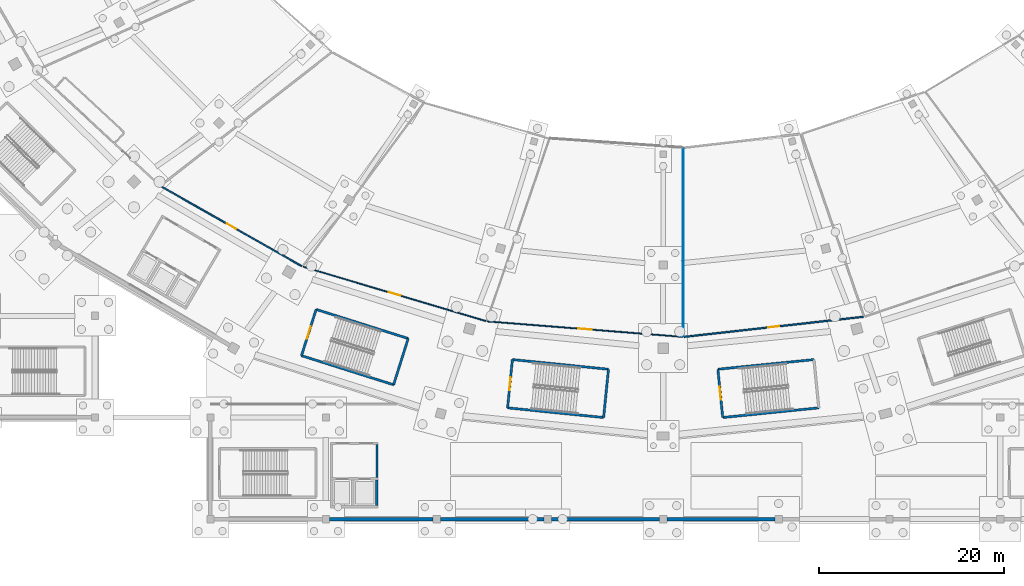
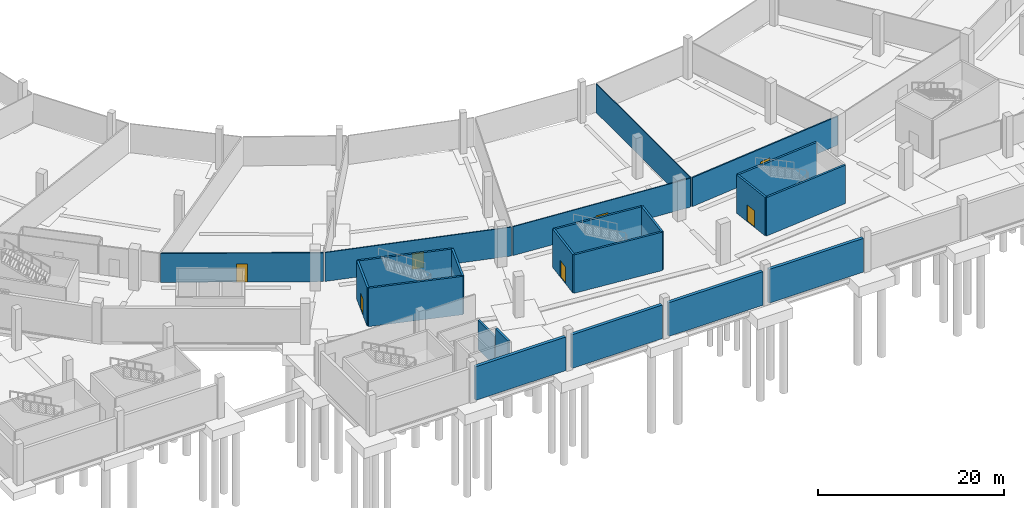
# One storey, part 34 of 74: 22 walls, 7 doors, 7 openings.
"""IFC4 building model written with IfcOpenShell, lengths in metres."""

from ifc_helpers import new_model, si_unit, direction, frame, frame_2d, origin, place, context, subcontext, project, spatial, rectangle, extrude, material, layer, layer_set, type_object, element, fill, save


model = new_model("IFC4")

# Units and contexts
model_context = context("Model", 3, precision=1e-05, world=origin(), true_north=direction((0.0, 1.0)))
body_context = subcontext(model_context, "Body", "Model", "MODEL_VIEW")
ifc_project = project(units=[si_unit("LENGTHUNIT", "METRE"), si_unit("AREAUNIT", "SQUARE_METRE"), si_unit("VOLUMEUNIT", "CUBIC_METRE"), si_unit("PLANEANGLEUNIT", "RADIAN"), si_unit("MASSUNIT", "GRAM", prefix="KILO")], contexts=[model_context])

# Site, building, storey
site_placement = place(None, origin())
site = spatial("IfcSite", under=ifc_project, at=site_placement, CompositionType="ELEMENT")
building_placement = place(site_placement, origin())
building = spatial("IfcBuilding", under=site, at=building_placement, Name="Zlatoyarsky Gate Stadium", CompositionType="ELEMENT")
storey_placement = place(building_placement, frame((0.0, 0.0, -5.39990234375)))
storey = spatial("IfcBuildingStorey", under=building, at=storey_placement, Name="B1", CompositionType="ELEMENT", Elevation=-5.39990234375)

# Wall, opening, door
ifc_material_1 = material(Name="Anodised aluminium acoustic operable wall", Category="aluminium")
ifc_layer_1 = layer(ifc_material_1, 0.114990234375)
ifc_layer_set_1 = layer_set([ifc_layer_1], Name="Anodised aluminium acoustic operable wall")
wall_type_1 = type_object("IfcWallType", Name="ACOUSTIC OPERABLE SUITE WALL 115", PredefinedType="MOVABLE", material=ifc_layer_set_1)
wall_1_placement = place(storey_placement, frame((91.97314453125, 21.40087890625, 0.0), z_axis=(0.0, 0.0, 1.0), x_axis=(0.996870264064, -0.079054896279, 0.0)))
wall_1 = element("IfcWall", 1, at=wall_1_placement, inside=storey, type_object=wall_type_1, Name="B1 interior partition PRT-B1-ICC-17", PredefinedType="MOVABLE", context=body_context, shape_type="SweptSolid", body=[
    extrude(rectangle(XDim=21.19775390625, YDim=0.114990234375, at=frame_2d((10.598876953125, 0.0))), origin(), (0.0, 0.0, 1.0), 3.7998046875),
])
opening_1_placement = place(wall_1_placement, frame((9.87890625, 0.0, 0.0)))
opening_1 = element("IfcOpeningElement", 2, at=opening_1_placement, cuts=wall_1, Name="Opening D-B1-068", PredefinedType="OPENING", context=body_context, shape_type="SweptSolid", body=[
    extrude(rectangle(XDim=1.43994140625, YDim=2.239990234375, at=frame_2d((0.719970703125, 1.1201171875))), frame((0.0, 0.0673828125, 0.0), z_axis=(0.0, -1.0, 0.0), x_axis=(1.0, 0.0, 0.0)), (0.0, 0.0, 1.0), 0.135009765625),
])
ifc_material_2 = material(Name="Solid-core oak veneer acoustic door", Category="wood")
door_type_1 = type_object("IfcDoorType", Name="ACOUSTIC INTERIOR DOOR 1440X2240", OperationType="NOTDEFINED", PredefinedType="DOOR", material=ifc_material_2)
door_1_placement = place(opening_1_placement, origin())
door_1 = element("IfcDoor", 3, at=door_1_placement, inside=storey, type_object=door_type_1, Name="B1 room door D-B1-068", OperationType="SINGLE_SWING_LEFT", OverallHeight=2.239990234375, OverallWidth=1.43994140625, PredefinedType="DOOR", context=body_context, shape_type="SweptSolid", body=[
    extrude(rectangle(XDim=1.43994140625, YDim=2.239990234375, at=frame_2d((0.719970703125, 1.1201171875))), frame((0.0, 0.02490234375, 0.0), z_axis=(0.0, -1.0, 0.0), x_axis=(1.0, 0.0, 0.0)), (0.0, 0.0, 1.0), 0.050048828125),
])
fill(opening_1, door_1)

ifc_material_3 = material(Name="Metal-stud gypsum partition", Category="gypsum")
ifc_layer_2 = layer(ifc_material_3, 0.14990234375)
ifc_layer_set_2 = layer_set([ifc_layer_2], Name="Metal-stud gypsum partition")
wall_type_2 = type_object("IfcWallType", Name="CONCOURSE CORRIDOR PARTITION 150", PredefinedType="PARTITIONING", material=ifc_layer_set_2)
wall_2_placement = place(storey_placement, frame((56.635009765625, 36.021484375, 0.0), z_axis=(0.0, 0.0, 1.0), x_axis=(0.869966621759, -0.493110613377, 0.0)))
wall_2 = element("IfcWall", 4, at=wall_2_placement, inside=storey, type_object=wall_type_2, Name="B1 interior partition PRT-B1-ICC-15", PredefinedType="PARTITIONING", context=body_context, shape_type="SweptSolid", body=[
    extrude(rectangle(XDim=17.529052734375, YDim=0.14990234375, at=frame_2d((8.7646484375, 0.0))), origin(), (0.0, 0.0, 1.0), 3.7998046875),
])
opening_2_placement = place(wall_2_placement, frame((8.1845703125, 0.0, 0.0)))
opening_2 = element("IfcOpeningElement", 5, at=opening_2_placement, cuts=wall_2, Name="Opening D-B1-062", PredefinedType="OPENING", context=body_context, shape_type="SweptSolid", body=[
    extrude(rectangle(XDim=1.159912109375, YDim=2.3798828125, at=frame_2d((0.580078125, 1.18994140625))), frame((0.0, 0.0849609375, 0.0), z_axis=(0.0, -1.0, 0.0), x_axis=(1.0, 0.0, 0.0)), (0.0, 0.0, 1.0), 0.169921875),
])
ifc_material_4 = material(Name="Powder-coated steel fire door", Category="steel")
door_type_2 = type_object("IfcDoorType", Name="ACOUSTIC INTERIOR DOOR 1160X2380", OperationType="NOTDEFINED", PredefinedType="DOOR", material=ifc_material_4)
door_2_placement = place(opening_2_placement, origin())
door_2 = element("IfcDoor", 6, at=door_2_placement, inside=storey, type_object=door_type_2, Name="B1 room door D-B1-062", OperationType="SINGLE_SWING_LEFT", OverallHeight=2.3798828125, OverallWidth=1.159912109375, PredefinedType="DOOR", context=body_context, shape_type="SweptSolid", body=[
    extrude(rectangle(XDim=1.159912109375, YDim=2.3798828125, at=frame_2d((0.580078125, 1.18994140625))), frame((0.0, 0.02490234375, 0.0), z_axis=(0.0, -1.0, 0.0), x_axis=(1.0, 0.0, 0.0)), (0.0, 0.0, 1.0), 0.050048828125),
])
fill(opening_2, door_2)

# Walls
ifc_material_5 = material(Name="Concrete C40/50", Category="concrete")
ifc_layer_3 = layer(ifc_material_5, 0.27001953125)
ifc_layer_set_3 = layer_set([ifc_layer_3], Name="Concrete C40/50")
wall_type_3 = type_object("IfcWallType", Name="CONCRETE LIFT SHAFT SHEAR WALL 270", PredefinedType="SHEAR", material=ifc_layer_set_3)
wall_3_placement = place(storey_placement, frame((80.014892578125, 1.47998046875, 0.0), z_axis=(0.0, 0.0, 1.0), x_axis=(0.0, 1.0, 0.0)))
element("IfcWall", 7, at=wall_3_placement, inside=storey, type_object=wall_type_3, Name="C6 B1 lift shaft right wall", PredefinedType="SHEAR", context=body_context, shape_type="SweptSolid", body=[
    extrude(rectangle(XDim=2.739990234375, YDim=0.27001953125, at=frame_2d((1.3701171875, 0.0))), origin(), (0.0, 0.0, 1.0), 5.0498046875),
])
ifc_material_6 = material(Name="Concrete C35/45", Category="concrete")
ifc_layer_4 = layer(ifc_material_6, 0.3798828125)
ifc_layer_set_4 = layer_set([ifc_layer_4], Name="Concrete C35/45")
wall_type_4 = type_object("IfcWallType", Name="CONCRETE RAMP RETAINING WALL 380", PredefinedType="SOLIDWALL", material=ifc_layer_set_4)
for number, where, z_axis, x_axis, name in (
    (8, (74.89697265625, 0.0, 0.0), (0.0, 0.0, 1.0), (1.0, 0.0, 0.0), "V3_SOUTH B1 S exterior wall"),
    (9, (86.89697265625, 0.0, 0.0), (0.0, 0.0, 1.0), (1.0, 0.0, 0.0), "V3_SOUTH B1 S exterior wall"),
):
    element("IfcWall", number, at=place(storey_placement, frame(where, z_axis=z_axis, x_axis=x_axis)), inside=storey, type_object=wall_type_4, Name=name, PredefinedType="SOLIDWALL", context=body_context, shape_type="SweptSolid", body=[
        extrude(rectangle(XDim=11.2060546875, YDim=0.3798828125, at=frame_2d((5.60302734375, 0.0))), origin(), (0.0, 0.0, 1.0), 4.429931640625),
    ])
for number, where, z_axis, x_axis, name in (
    (10, (98.89697265625, 0.0, 0.0), (0.0, 0.0, 1.0), (1.0, 0.0, 0.0), "V3_SOUTH B1 S exterior wall"),
    (11, (111.39697265625, 0.0, 0.0), (0.0, 0.0, 1.0), (1.0, 0.0, 0.0), "V3_SOUTH B1 S exterior wall"),
):
    element("IfcWall", number, at=place(storey_placement, frame(where, z_axis=z_axis, x_axis=x_axis)), inside=storey, type_object=wall_type_4, Name=name, PredefinedType="SOLIDWALL", context=body_context, shape_type="SweptSolid", body=[
        extrude(rectangle(XDim=11.7060546875, YDim=0.3798828125, at=frame_2d((5.85302734375, 0.0))), origin(), (0.0, 0.0, 1.0), 4.429931640625),
    ])

# Wall, opening, door
ifc_layer_5 = layer(ifc_material_5, 0.25)
ifc_layer_set_5 = layer_set([ifc_layer_5], Name="Concrete C40/50")
wall_type_5 = type_object("IfcWallType", Name="CONCRETE STAIR CORE SHEAR WALL 250", PredefinedType="SHEAR", material=ifc_layer_set_5)
wall_4_placement = place(storey_placement, frame((73.436767578125, 22.69873046875, 0.0), z_axis=(0.0, 0.0, 1.0), x_axis=(-0.30152749866, -0.953457480726, 0.0)))
wall_4 = element("IfcWall", 12, at=wall_4_placement, inside=storey, type_object=wall_type_5, Name="ST-09 B1 stair core entrance shear wall", PredefinedType="SHEAR", context=body_context, shape_type="SweptSolid", body=[
    extrude(rectangle(XDim=5.25, YDim=0.25, at=frame_2d((2.625, 0.0))), origin(), (0.0, 0.0, 1.0), 5.0498046875),
])
opening_3_placement = place(wall_4_placement, frame((1.925048828125, 0.0, 0.0)))
opening_3 = element("IfcOpeningElement", 13, at=opening_3_placement, cuts=wall_4, Name="Opening SD-ST-09-B1", PredefinedType="OPENING", context=body_context, shape_type="SweptSolid", body=[
    extrude(rectangle(XDim=1.39990234375, YDim=2.199951171875, at=frame_2d((0.699951171875, 1.10009765625))), frame((0.0, 0.135009765625, 0.0), z_axis=(0.0, -1.0, 0.0), x_axis=(1.0, 0.0, 0.0)), (0.0, 0.0, 1.0), 0.27001953125),
])
door_type_3 = type_object("IfcDoorType", Name="STAIR CORE FIRE EXIT DOOR 1400X2200", OperationType="NOTDEFINED", PredefinedType="DOOR", material=ifc_material_4)
door_3_placement = place(opening_3_placement, frame((1.39990234375, 0.0, 0.0), z_axis=(0.0, 0.0, 1.0), x_axis=(-1.0, 0.0, 0.0)))
door_3 = element("IfcDoor", 14, at=door_3_placement, inside=storey, type_object=door_type_3, Name="ST-09 B1 stair fire door", OperationType="SINGLE_SWING_RIGHT", OverallHeight=2.199951171875, OverallWidth=1.39990234375, PredefinedType="DOOR", context=body_context, shape_type="SweptSolid", body=[
    extrude(rectangle(XDim=1.39990234375, YDim=2.199951171875, at=frame_2d((0.699951171875, 1.10009765625))), frame((0.0, 0.02490234375, 0.0), z_axis=(0.0, -1.0, 0.0), x_axis=(1.0, 0.0, 0.0)), (0.0, 0.0, 1.0), 0.050048828125),
])
fill(opening_3, door_3)

# Walls
wall_5_placement = place(storey_placement, frame((71.853759765625, 17.693115234375, 0.0), z_axis=(0.0, 0.0, 1.0), x_axis=(0.953461834254, -0.301513732061, 0.0)))
element("IfcWall", 15, at=wall_5_placement, inside=storey, type_object=wall_type_5, Name="ST-09 B1 stair core left shear wall", PredefinedType="SHEAR", context=body_context, shape_type="SweptSolid", body=[
    extrude(rectangle(XDim=10.4501953125, YDim=0.25, at=frame_2d((5.22509765625, 0.0))), origin(), (0.0, 0.0, 1.0), 5.0498046875),
])
wall_6_placement = place(storey_placement, frame((81.817626953125, 14.542236328125, 0.0), z_axis=(0.0, 0.0, 1.0), x_axis=(0.301485222482, 0.953470849384, 0.0)))
element("IfcWall", 16, at=wall_6_placement, inside=storey, type_object=wall_type_5, Name="ST-09 B1 stair core far shear wall", PredefinedType="SHEAR", context=body_context, shape_type="SweptSolid", body=[
    extrude(rectangle(XDim=5.25, YDim=0.25, at=frame_2d((2.625, 0.0))), origin(), (0.0, 0.0, 1.0), 5.0498046875),
])
wall_7_placement = place(storey_placement, frame((83.400390625, 19.5478515625, 0.0), z_axis=(0.0, 0.0, 1.0), x_axis=(-0.953459710305, 0.301520448438, 0.0)))
element("IfcWall", 17, at=wall_7_placement, inside=storey, type_object=wall_type_5, Name="ST-09 B1 stair core right shear wall", PredefinedType="SHEAR", context=body_context, shape_type="SweptSolid", body=[
    extrude(rectangle(XDim=10.449951171875, YDim=0.25, at=frame_2d((5.22509765625, 0.0))), origin(), (0.0, 0.0, 1.0), 5.0498046875),
])

# Wall, opening, door
wall_8_placement = place(storey_placement, frame((116.92138671875, 16.220947265625, 0.0), z_axis=(0.0, 0.0, 1.0), x_axis=(0.100028593886, -0.994984562898, 0.0)))
wall_8 = element("IfcWall", 18, at=wall_8_placement, inside=storey, type_object=wall_type_5, Name="ST-10 B1 stair core entrance shear wall", PredefinedType="SHEAR", context=body_context, shape_type="SweptSolid", body=[
    extrude(rectangle(XDim=5.25, YDim=0.25, at=frame_2d((2.625, 0.0))), origin(), (0.0, 0.0, 1.0), 5.0498046875),
])
opening_4_placement = place(wall_8_placement, frame((1.925048828125, 0.0, 0.0)))
opening_4 = element("IfcOpeningElement", 19, at=opening_4_placement, cuts=wall_8, Name="Opening SD-ST-10-B1", PredefinedType="OPENING", context=body_context, shape_type="SweptSolid", body=[
    extrude(rectangle(XDim=1.39990234375, YDim=2.199951171875, at=frame_2d((0.699951171875, 1.10009765625))), frame((0.0, 0.135009765625, 0.0), z_axis=(0.0, -1.0, 0.0), x_axis=(1.0, 0.0, 0.0)), (0.0, 0.0, 1.0), 0.27001953125),
])
door_4_placement = place(opening_4_placement, frame((1.39990234375, 0.0, 0.0), z_axis=(0.0, 0.0, 1.0), x_axis=(-1.0, 0.0, 0.0)))
door_4 = element("IfcDoor", 20, at=door_4_placement, inside=storey, type_object=door_type_3, Name="ST-10 B1 stair fire door", OperationType="SINGLE_SWING_LEFT", OverallHeight=2.199951171875, OverallWidth=1.39990234375, PredefinedType="DOOR", context=body_context, shape_type="SweptSolid", body=[
    extrude(rectangle(XDim=1.39990234375, YDim=2.199951171875, at=frame_2d((0.699951171875, 1.10009765625))), frame((0.0, 0.02490234375, 0.0), z_axis=(0.0, -1.0, 0.0), x_axis=(1.0, 0.0, 0.0)), (0.0, 0.0, 1.0), 0.050048828125),
])
fill(opening_4, door_4)

# Walls
for number, where, z_axis, x_axis, name in (
    (21, (117.446533203125, 10.997314453125, 0.0), (0.0, 0.0, 1.0), (0.994985938948, 0.100014905366, 0.0), "ST-10 B1 stair core left shear wall"),
    (22, (127.319091796875, 17.26611328125, 0.0), (0.0, 0.0, 1.0), (-0.994985938948, -0.100014905366, 0.0), "ST-10 B1 stair core right shear wall"),
):
    element("IfcWall", number, at=place(storey_placement, frame(where, z_axis=z_axis, x_axis=x_axis)), inside=storey, type_object=wall_type_5, Name=name, PredefinedType="SHEAR", context=body_context, shape_type="SweptSolid", body=[
        extrude(rectangle(XDim=10.4501953125, YDim=0.25, at=frame_2d((5.22509765625, 0.0))), origin(), (0.0, 0.0, 1.0), 5.0498046875),
    ])

# Wall, opening, door
wall_9_placement = place(storey_placement, frame((94.680908203125, 17.26611328125, 0.0), z_axis=(0.0, 0.0, 1.0), x_axis=(-0.10002396577, -0.994985028165, 0.0)))
wall_9 = element("IfcWall", 23, at=wall_9_placement, inside=storey, type_object=wall_type_5, Name="ST-19 B1 stair core entrance shear wall", PredefinedType="SHEAR", context=body_context, shape_type="SweptSolid", body=[
    extrude(rectangle(XDim=5.250244140625, YDim=0.25, at=frame_2d((2.625, 0.0))), origin(), (0.0, 0.0, 1.0), 5.0498046875),
])
opening_5_placement = place(wall_9_placement, frame((1.925048828125, 0.0, 0.0)))
opening_5 = element("IfcOpeningElement", 24, at=opening_5_placement, cuts=wall_9, Name="Opening SD-ST-19-B1", PredefinedType="OPENING", context=body_context, shape_type="SweptSolid", body=[
    extrude(rectangle(XDim=1.39990234375, YDim=2.199951171875, at=frame_2d((0.699951171875, 1.10009765625))), frame((0.0, 0.135009765625, 0.0), z_axis=(0.0, -1.0, 0.0), x_axis=(1.0, 0.0, 0.0)), (0.0, 0.0, 1.0), 0.27001953125),
])
door_5_placement = place(opening_5_placement, frame((1.39990234375, 0.0, 0.0), z_axis=(0.0, 0.0, 1.0), x_axis=(-1.0, 0.0, 0.0)))
door_5 = element("IfcDoor", 25, at=door_5_placement, inside=storey, type_object=door_type_3, Name="ST-19 B1 stair fire door", OperationType="SINGLE_SWING_LEFT", OverallHeight=2.199951171875, OverallWidth=1.39990234375, PredefinedType="DOOR", context=body_context, shape_type="SweptSolid", body=[
    extrude(rectangle(XDim=1.39990234375, YDim=2.199951171875, at=frame_2d((0.699951171875, 1.10009765625))), frame((0.0, 0.02490234375, 0.0), z_axis=(0.0, -1.0, 0.0), x_axis=(1.0, 0.0, 0.0)), (0.0, 0.0, 1.0), 0.050048828125),
])
fill(opening_5, door_5)

# Walls
wall_10_placement = place(storey_placement, frame((94.15576171875, 12.042236328125, 0.0), z_axis=(0.0, 0.0, 1.0), x_axis=(0.994988263568, -0.09999177647, 0.0)))
element("IfcWall", 26, at=wall_10_placement, inside=storey, type_object=wall_type_5, Name="ST-19 B1 stair core left shear wall", PredefinedType="SHEAR", context=body_context, shape_type="SweptSolid", body=[
    extrude(rectangle(XDim=10.4501953125, YDim=0.25, at=frame_2d((5.22509765625, 0.0))), origin(), (0.0, 0.0, 1.0), 5.0498046875),
])
wall_11_placement = place(storey_placement, frame((104.553466796875, 10.997314453125, 0.0), z_axis=(0.0, 0.0, 1.0), x_axis=(0.099982555566, 0.994989190184, 0.0)))
element("IfcWall", 27, at=wall_11_placement, inside=storey, type_object=wall_type_5, Name="ST-19 B1 stair core far shear wall", PredefinedType="SHEAR", context=body_context, shape_type="SweptSolid", body=[
    extrude(rectangle(XDim=5.25, YDim=0.25, at=frame_2d((2.625, 0.0))), origin(), (0.0, 0.0, 1.0), 5.0498046875),
])
wall_12_placement = place(storey_placement, frame((105.078369140625, 16.220947265625, 0.0), z_axis=(0.0, 0.0, 1.0), x_axis=(-0.994985705245, 0.100017230303, 0.0)))
element("IfcWall", 28, at=wall_12_placement, inside=storey, type_object=wall_type_5, Name="ST-19 B1 stair core right shear wall", PredefinedType="SHEAR", context=body_context, shape_type="SweptSolid", body=[
    extrude(rectangle(XDim=10.449951171875, YDim=0.25, at=frame_2d((5.22509765625, 0.0))), origin(), (0.0, 0.0, 1.0), 5.0498046875),
])
ifc_material_7 = material(Name="Autoclaved aerated concrete masonry EI 120", Category="masonry")
ifc_layer_6 = layer(ifc_material_7, 0.219970703125)
ifc_layer_set_6 = layer_set([ifc_layer_6], Name="Autoclaved aerated concrete masonry EI 120")
wall_type_6 = type_object("IfcWallType", Name="FIREFIGHTING LOBBY RATED WALL 220", PredefinedType="PARTITIONING", material=ifc_layer_set_6)
wall_13_placement = place(storey_placement, frame((80.0400390625, 4.52001953125, 0.0), z_axis=(0.0, 0.0, 1.0), x_axis=(0.0, 1.0, 0.0)))
element("IfcWall", 29, at=wall_13_placement, inside=storey, type_object=wall_type_6, Name="C6 B1 firefighting lobby right wall", PredefinedType="PARTITIONING", context=body_context, shape_type="SweptSolid", body=[
    extrude(rectangle(XDim=3.530029296875, YDim=0.219970703125, at=frame_2d((1.76513671875, 0.0))), origin(), (0.0, 0.0, 1.0), 3.7998046875),
])
ifc_material_8 = material(Name="Timber-veneered acoustic operable partition", Category="wood")
ifc_layer_7 = layer(ifc_material_8, 0.094970703125)
ifc_layer_set_7 = layer_set([ifc_layer_7], Name="Timber-veneered acoustic operable partition")
wall_type_7 = type_object("IfcWallType", Name="FOLDING BANQUET SALON WALL 95", PredefinedType="MOVABLE", material=ifc_layer_set_7)
wall_14_placement = place(storey_placement, frame((113.189453125, 40.130615234375, 0.0), z_axis=(0.0, 0.0, 1.0), x_axis=(-1.2010569e-05, -0.999999999928, 0.0)))
element("IfcWall", 30, at=wall_14_placement, inside=storey, type_object=wall_type_7, Name="B1 interior partition PRT-B1-IRD-18", PredefinedType="MOVABLE", context=body_context, shape_type="SweptSolid", body=[
    extrude(rectangle(XDim=20.3271484375, YDim=0.094970703125, at=frame_2d((10.16357421875, 0.0))), origin(), (0.0, 0.0, 1.0), 3.7998046875),
])

# Wall, opening, door
ifc_material_9 = material(Name="Acoustic metal-stud gypsum partition", Category="gypsum")
ifc_layer_8 = layer(ifc_material_9, 0.159912109375)
ifc_layer_set_8 = layer_set([ifc_layer_8], Name="Acoustic metal-stud gypsum partition")
wall_type_8 = type_object("IfcWallType", Name="HOSPITALITY SUITE PARTITION 160", PredefinedType="PARTITIONING", material=ifc_layer_set_8)
wall_15_placement = place(storey_placement, frame((113.273681640625, 19.727783203125, 0.0), z_axis=(0.0, 0.0, 1.0), x_axis=(0.993803678033, 0.111149671744, 0.0)))
wall_15 = element("IfcWall", 31, at=wall_15_placement, inside=storey, type_object=wall_type_8, Name="B1 interior partition PRT-B1-ICC-18", PredefinedType="PARTITIONING", context=body_context, shape_type="SweptSolid", body=[
    extrude(rectangle(XDim=19.513671875, YDim=0.159912109375, at=frame_2d((9.7568359375, 0.0))), origin(), (0.0, 0.0, 1.0), 3.7998046875),
])
opening_6_placement = place(wall_15_placement, frame((9.136962890625, 0.0, 0.0)))
opening_6 = element("IfcOpeningElement", 32, at=opening_6_placement, cuts=wall_15, Name="Opening D-B1-071", PredefinedType="OPENING", context=body_context, shape_type="SweptSolid", body=[
    extrude(rectangle(XDim=1.239990234375, YDim=2.10009765625, at=frame_2d((0.6201171875, 1.050048828125))), frame((0.0, 0.08984375, 0.0), z_axis=(0.0, -1.0, 0.0), x_axis=(1.0, 0.0, 0.0)), (0.0, 0.0, 1.0), 0.179931640625),
])
door_type_4 = type_object("IfcDoorType", Name="ACOUSTIC INTERIOR DOOR 1240X2100", OperationType="NOTDEFINED", PredefinedType="DOOR", material=ifc_material_4)
door_6_placement = place(opening_6_placement, origin())
door_6 = element("IfcDoor", 33, at=door_6_placement, inside=storey, type_object=door_type_4, Name="B1 room door D-B1-071", OperationType="SINGLE_SWING_RIGHT", OverallHeight=2.10009765625, OverallWidth=1.239990234375, PredefinedType="DOOR", context=body_context, shape_type="SweptSolid", body=[
    extrude(rectangle(XDim=1.239990234375, YDim=2.10009765625, at=frame_2d((0.6201171875, 1.050048828125))), frame((0.0, 0.02490234375, 0.0), z_axis=(0.0, -1.0, 0.0), x_axis=(1.0, 0.0, 0.0)), (0.0, 0.0, 1.0), 0.050048828125),
])
fill(opening_6, door_6)

ifc_layer_9 = layer(ifc_material_3, 0.1201171875)
ifc_layer_set_9 = layer_set([ifc_layer_9], Name="Metal-stud gypsum partition")
wall_type_9 = type_object("IfcWallType", Name="OFFICE AND PRESS PARTITION 120", PredefinedType="PARTITIONING", material=ifc_layer_set_9)
wall_16_placement = place(storey_placement, frame((72.040283203125, 27.311767578125, 0.0), z_axis=(0.0, 0.0, 1.0), x_axis=(0.958492296074, -0.285118428668, 0.0)))
wall_16 = element("IfcWall", 34, at=wall_16_placement, inside=storey, type_object=wall_type_9, Name="B1 interior partition PRT-B1-ICC-16", PredefinedType="PARTITIONING", context=body_context, shape_type="SweptSolid", body=[
    extrude(rectangle(XDim=20.62255859375, YDim=0.1201171875, at=frame_2d((10.311279296875, 0.0))), origin(), (0.0, 0.0, 1.0), 3.7998046875),
])
opening_7_placement = place(wall_16_placement, frame((9.641357421875, 0.0, 0.0)))
opening_7 = element("IfcOpeningElement", 35, at=opening_7_placement, cuts=wall_16, Name="Opening D-B1-065", PredefinedType="OPENING", context=body_context, shape_type="SweptSolid", body=[
    extrude(rectangle(XDim=1.340087890625, YDim=2.10009765625, at=frame_2d((0.669921875, 1.050048828125))), frame((0.0, 0.070068359375, 0.0), z_axis=(0.0, -1.0, 0.0), x_axis=(1.0, 0.0, 0.0)), (0.0, 0.0, 1.0), 0.14013671875),
])
door_type_5 = type_object("IfcDoorType", Name="ACOUSTIC INTERIOR DOOR 1340X2100", OperationType="NOTDEFINED", PredefinedType="DOOR", material=ifc_material_2)
door_7_placement = place(opening_7_placement, origin())
door_7 = element("IfcDoor", 36, at=door_7_placement, inside=storey, type_object=door_type_5, Name="B1 room door D-B1-065", OperationType="SINGLE_SWING_RIGHT", OverallHeight=2.10009765625, OverallWidth=1.340087890625, PredefinedType="DOOR", context=body_context, shape_type="SweptSolid", body=[
    extrude(rectangle(XDim=1.340087890625, YDim=2.10009765625, at=frame_2d((0.669921875, 1.050048828125))), frame((0.0, 0.02490234375, 0.0), z_axis=(0.0, -1.0, 0.0), x_axis=(1.0, 0.0, 0.0)), (0.0, 0.0, 1.0), 0.050048828125),
])
fill(opening_7, door_7)

save(model, "model.ifc")
